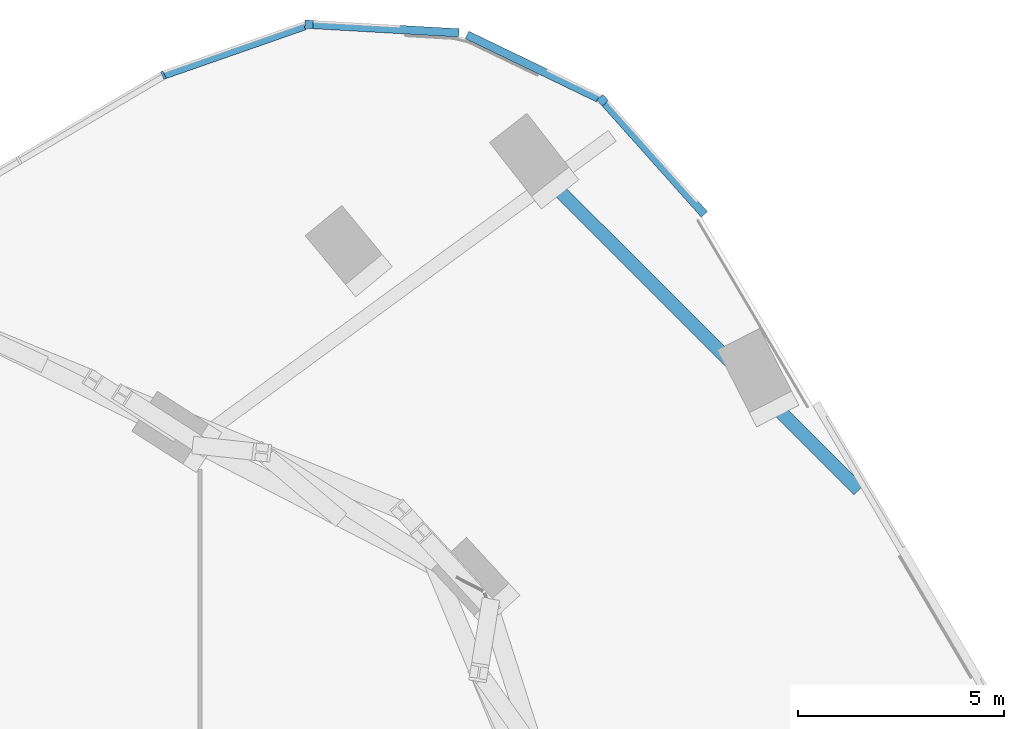
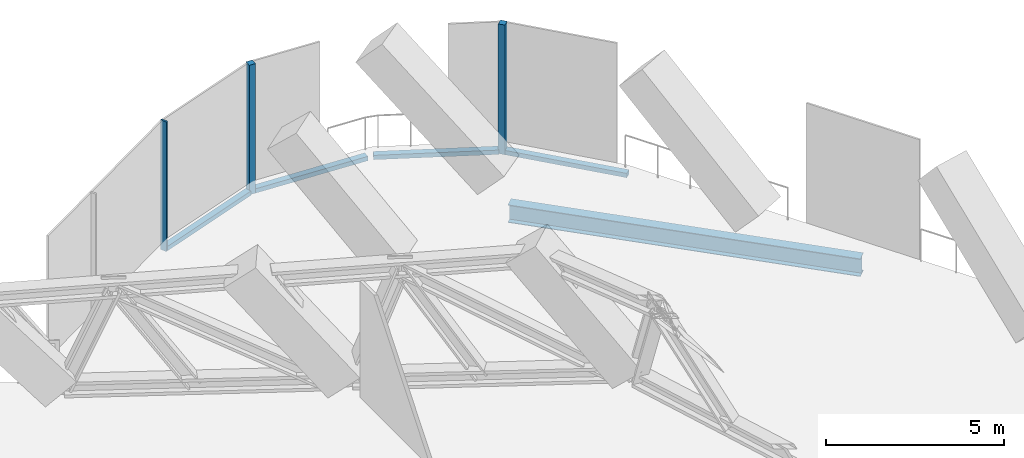
# One storey, part 13 of 31: 7 members, 1 beam, 4 elements without a shape of their own.
"""IFC4 building model written with IfcOpenShell, lengths in metres."""

from ifc_helpers import new_model, si_unit, direction, frame, origin, origin_2d, place, context, subcontext, project, spatial, rectangle, i_section, extrude, material, material_profile, profile_set, type_object, element, aggregate, save


model = new_model("IFC4")

# Units and contexts
model_context = context("Model", 3, precision=1e-05, world=origin(), true_north=direction((0.0, 1.0)))
body_context = subcontext(model_context, "Body", "Model", "MODEL_VIEW")
ifc_project = project(units=[si_unit("LENGTHUNIT", "METRE"), si_unit("AREAUNIT", "SQUARE_METRE"), si_unit("VOLUMEUNIT", "CUBIC_METRE"), si_unit("PLANEANGLEUNIT", "RADIAN"), si_unit("MASSUNIT", "GRAM", prefix="KILO")], contexts=[model_context])

# Site, building, storey
site_placement = place(None, origin())
site = spatial("IfcSite", under=ifc_project, at=site_placement, CompositionType="ELEMENT")
building_placement = place(site_placement, origin())
building = spatial("IfcBuilding", under=site, at=building_placement, Name="Orlundy Tower", CompositionType="ELEMENT")
storey_placement = place(building_placement, frame((0.0, 0.0, 271.0)))
storey = spatial("IfcBuildingStorey", under=building, at=storey_placement, Name="L72", CompositionType="ELEMENT", Elevation=271.0)

# Beam
ifc_material_1 = material(Name="Steel ASTM A992 Gr 50", Category="steel")
ifc_material_profile_1 = material_profile(ifc_material_1, i_section(OverallWidth=0.32373046875, OverallDepth=0.611083984375, WebThickness=0.0126953125, FlangeThickness=0.01904296875, at=origin_2d()), Name="W24X104")
ifc_profile_set_1 = profile_set([ifc_material_profile_1], Name="Steel ASTM A992 Gr 50")
beam_type = type_object("IfcBeamType", Name="CANTILEVER GIRDER beam W24X104", PredefinedType="BEAM", material=ifc_profile_set_1)
beam_placement = place(storey_placement, frame((33.367431640625, 23.001953125, -0.755615234375), z_axis=(-0.707178159249, 0.707035395918, 0.0), x_axis=(-0.707035395918, -0.707178159249, 0.0)))
element("IfcBeam", 1, at=beam_placement, inside=storey, type_object=beam_type, Name="Cantilever girder C-A4-5 L72", PredefinedType="BEAM", context=body_context, shape_type="SweptSolid", body=[
    extrude(i_section(OverallWidth=0.32373046875, OverallDepth=0.611083984375, WebThickness=0.0126953125, FlangeThickness=0.01904296875, at=origin_2d()), origin(), (0.0, 0.0, 1.0), 10.2607421875),
])

# Curtain wall, member
ifc_material_2 = material(Name="Aluminium bronze anodised", Category="aluminium")
curtain_wall_type = type_object("IfcCurtainWallType", Name="CW4 wall", PredefinedType="NOTDEFINED", material=ifc_material_2)
curtain_wall_1_placement = place(storey_placement, origin())
curtain_wall_1 = element("IfcCurtainWall", 2, at=curtain_wall_1_placement, inside=storey, type_object=curtain_wall_type, Name="CW4 run 018", PredefinedType="NOTDEFINED")
ifc_material_3 = material(Name="Aluminium bronze anodised", Category="aluminium")
ifc_material_profile_2 = material_profile(ifc_material_3, rectangle(XDim=0.199951171875, YDim=0.199951171875, at=origin_2d()), Name="CW4 corner post 200x200")
ifc_profile_set_2 = profile_set([ifc_material_profile_2], Name="Aluminium bronze anodised")
member_type_1 = type_object("IfcMemberType", Name="CW4 corner post 200x200", PredefinedType="MULLION", material=ifc_profile_set_2)
member_1_placement = place(storey_placement, frame((20.044921875, 34.2890625, -0.449951171875), z_axis=(0.0, 0.0, 1.0), x_axis=(0.056650299193, 0.998394082315, 0.0)))
member_1 = element("IfcMember", 3, at=member_1_placement, type_object=member_type_1, Name="CW4 mullion 28", PredefinedType="MULLION", context=body_context, shape_type="SweptSolid", body=[
    extrude(rectangle(XDim=0.199951171875, YDim=0.199951171875, at=origin_2d()), origin(), (0.0, 0.0, 1.0), 4.449951171875),
])

curtain_wall_2_placement = place(storey_placement, origin())
curtain_wall_2 = element("IfcCurtainWall", 4, at=curtain_wall_2_placement, inside=storey, type_object=curtain_wall_type, Name="CW4 run 020", PredefinedType="NOTDEFINED")
member_2_placement = place(storey_placement, frame((27.160400390625, 32.449462890625, -0.449951171875), z_axis=(0.0, 0.0, 1.0), x_axis=(0.746157794518, 0.665769138425, 0.0)))
member_2 = element("IfcMember", 5, at=member_2_placement, type_object=member_type_1, Name="CW4 mullion 30", PredefinedType="MULLION", context=body_context, shape_type="SweptSolid", body=[
    extrude(rectangle(XDim=0.199951171875, YDim=0.199951171875, at=origin_2d()), origin(), (0.0, 0.0, 1.0), 4.449951171875),
])

# Curtain wall, members
curtain_wall_3_placement = place(storey_placement, origin())
curtain_wall_3 = element("IfcCurtainWall", 6, at=curtain_wall_3_placement, inside=storey, type_object=curtain_wall_type, Name="CW4 run 017", PredefinedType="NOTDEFINED")
ifc_material_4 = material(Name="Aluminium bronze anodised", Category="aluminium")
ifc_material_profile_3 = material_profile(ifc_material_4, rectangle(XDim=0.199951171875, YDim=0.06005859375, at=origin_2d()), Name="CW4 mullion 60x200")
ifc_profile_set_3 = profile_set([ifc_material_profile_3], Name="Aluminium bronze anodised")
member_type_2 = type_object("IfcMemberType", Name="CW4 mullion 60x200", PredefinedType="MULLION", material=ifc_profile_set_3)
member_3_placement = place(storey_placement, frame((16.517822265625, 33.05712890625, -0.449951171875), z_axis=(0.0, 0.0, 1.0), x_axis=(-0.420607982812, 0.907242484011, 0.0)))
member_3 = element("IfcMember", 7, at=member_3_placement, type_object=member_type_2, Name="CW4 mullion 27", PredefinedType="MULLION", context=body_context, shape_type="SweptSolid", body=[
    extrude(rectangle(XDim=0.199951171875, YDim=0.06005859375, at=origin_2d()), origin(), (0.0, 0.0, 1.0), 4.449951171875),
])
ifc_material_5 = material(Name="Aluminium bronze anodised", Category="aluminium")
ifc_material_profile_4 = material_profile(ifc_material_5, rectangle(XDim=0.199951171875, YDim=0.14990234375, at=origin_2d()), Name="CW4 transom 200x150")
ifc_profile_set_4 = profile_set([ifc_material_profile_4], Name="Aluminium bronze anodised")
member_type_3 = type_object("IfcMemberType", Name="CW4 transom 200x150", PredefinedType="USERDEFINED", material=ifc_profile_set_4)
member_4_placement = place(storey_placement, frame((16.546142578125, 33.067138671875, -0.375), z_axis=(0.94409510124, 0.329673231874, 0.0), x_axis=(-0.329673231874, 0.94409510124, 0.0)))
member_4 = element("IfcMember", 8, at=member_4_placement, type_object=member_type_3, Name="CW4 transom", ObjectType="TRANSOM", PredefinedType="USERDEFINED", context=body_context, shape_type="SweptSolid", body=[
    extrude(rectangle(XDim=0.199951171875, YDim=0.14990234375, at=origin_2d()), origin(), (0.0, 0.0, 1.0), 3.59765625),
])
aggregate(curtain_wall_3, [member_3, member_4])

# Member
member_5_placement = place(storey_placement, frame((20.14453125, 34.283203125, -0.375), z_axis=(0.998394492435, -0.056643070851, 0.0), x_axis=(0.056643070851, 0.998394492435, 0.0)))
member_5 = element("IfcMember", 9, at=member_5_placement, type_object=member_type_3, Name="CW4 transom", ObjectType="TRANSOM", PredefinedType="USERDEFINED", context=body_context, shape_type="SweptSolid", body=[
    extrude(rectangle(XDim=0.199951171875, YDim=0.14990234375, at=origin_2d()), origin(), (0.0, 0.0, 1.0), 3.53857421875),
])

aggregate(curtain_wall_1, [member_1, member_5])

# Curtain wall, member
curtain_wall_4_placement = place(storey_placement, origin())
curtain_wall_4 = element("IfcCurtainWall", 10, at=curtain_wall_4_placement, inside=storey, type_object=curtain_wall_type, Name="CW4 run 019", PredefinedType="NOTDEFINED")
member_6_placement = place(storey_placement, frame((23.87548828125, 34.033203125, -0.375), z_axis=(0.900751810864, -0.434334174599, 0.0), x_axis=(0.434334174599, 0.900751810864, 0.0)))
member_6 = element("IfcMember", 11, at=member_6_placement, type_object=member_type_3, Name="CW4 transom", ObjectType="TRANSOM", PredefinedType="USERDEFINED", context=body_context, shape_type="SweptSolid", body=[
    extrude(rectangle(XDim=0.199951171875, YDim=0.14990234375, at=origin_2d()), origin(), (0.0, 0.0, 1.0), 3.538330078125),
])
aggregate(curtain_wall_4, [member_6])

# Member
member_7_placement = place(storey_placement, frame((27.22705078125, 32.374755859375, -0.375), z_axis=(0.665787042868, -0.746141818657, 0.0), x_axis=(0.746141818657, 0.665787042868, 0.0)))
member_7 = element("IfcMember", 12, at=member_7_placement, type_object=member_type_3, Name="CW4 transom", ObjectType="TRANSOM", PredefinedType="USERDEFINED", context=body_context, shape_type="SweptSolid", body=[
    extrude(rectangle(XDim=0.199951171875, YDim=0.14990234375, at=origin_2d()), origin(), (0.0, 0.0, 1.0), 3.6064453125),
])

aggregate(curtain_wall_2, [member_2, member_7])

save(model, "model.ifc")
